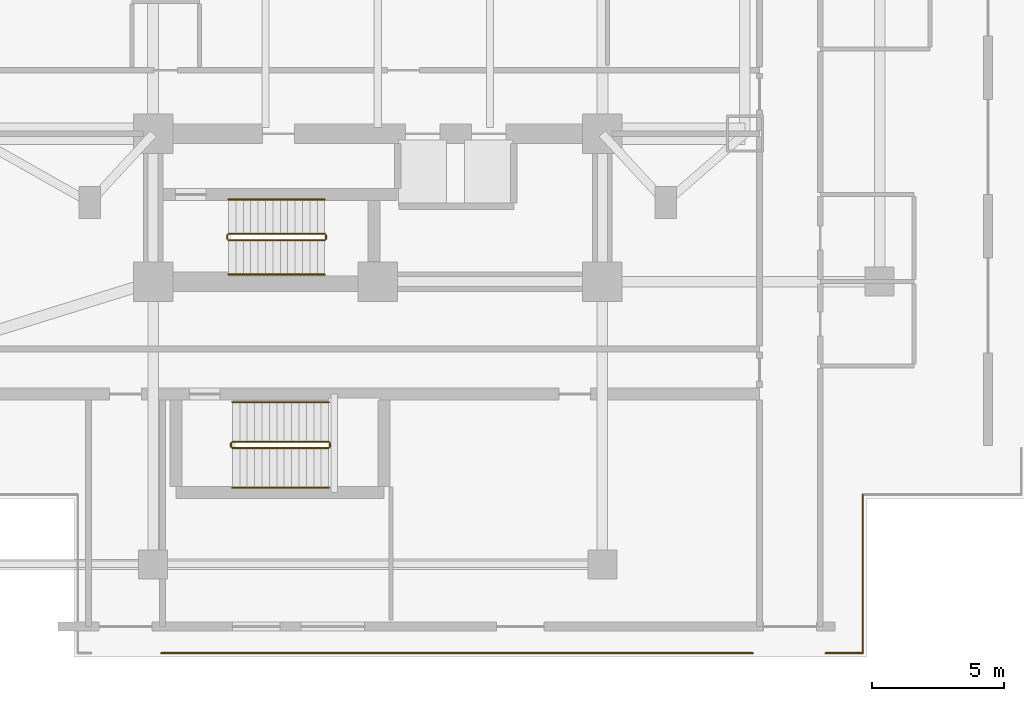
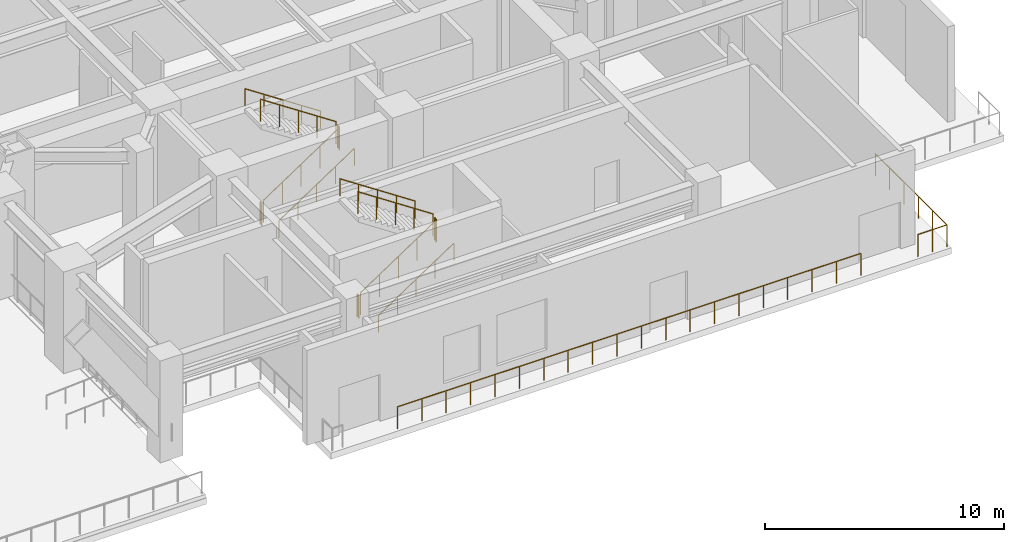
# One storey, part 23 of 27: 15 railings.
"""IFC4 building model written with IfcOpenShell, lengths in metres."""

import ifcopenshell
import ifcopenshell.guid

model = None  # the IFC model being written
_history = None  # IfcOwnerHistory: only IFC2X3 demands one
_inside = {}  # id of a spatial element -> (the spatial element, [elements in it])
_under = {}  # id of a project, library or spatial element -> (it, [spatial elements below it])
_declared = {}  # id of a project -> (the project, [libraries it declares])
_typed = {}  # id of a type object -> (the type object, [elements of that type])
_made_of = {}  # id of a material, layer set ... -> (it, [elements and type objects made of it])


def new_model(schema):
    """Start an empty IFC model of exactly this schema.

    Asked for "IFC4X3", IfcOpenShell would pick the latest addendum, in which some entities
    have other attributes; the version numbers below select the first issue.
    IFC2X3 requires an IfcOwnerHistory on every rooted entity: one is made here for all.
    """
    global model, _history
    if schema == "IFC4X3":
        model = ifcopenshell.file(schema_version=(4, 3, 0, 0))
    else:
        model = ifcopenshell.file(schema=schema)
    _inside.clear()
    _under.clear()
    _declared.clear()
    _typed.clear()
    _made_of.clear()
    _history = None
    if model.schema == "IFC2X3":
        org = make("IfcOrganization", Name="unknown")
        user = make(
            "IfcPersonAndOrganization",
            ThePerson=make("IfcPerson", FamilyName="unknown"),
            TheOrganization=org,
        )
        app = make(
            "IfcApplication",
            ApplicationDeveloper=org,
            Version="unknown",
            ApplicationFullName="unknown",
            ApplicationIdentifier="unknown",
        )
        _history = make(
            "IfcOwnerHistory",
            OwningUser=user,
            OwningApplication=app,
            ChangeAction="ADDED",
            CreationDate=0,
        )
    return model


def make(cls, **values):
    """One entity of the class cls with the attributes given. An attribute that is None is left unset."""
    return model.create_entity(
        cls, **{name: value for name, value in values.items() if value is not None}
    )


def rooted(cls, **values):
    """An entity with a GlobalId (a new one), such as an element, a storey or a relation."""
    return make(cls, GlobalId=ifcopenshell.guid.new(), OwnerHistory=_history, **values)


def si_unit(unit_type, name, prefix=None):
    """IfcSIUnit, for example si_unit("LENGTHUNIT", "METRE", prefix="MILLI")."""
    return make("IfcSIUnit", UnitType=unit_type, Prefix=prefix, Name=name)


def assignment(units):
    """IfcUnitAssignment: the units of a project."""
    return None if units is None else make("IfcUnitAssignment", Units=units)


def point(xyz):
    """IfcCartesianPoint."""
    return None if xyz is None else make("IfcCartesianPoint", Coordinates=xyz)


def direction(xyz):
    """IfcDirection."""
    return None if xyz is None else make("IfcDirection", DirectionRatios=xyz)


def frame(location, z_axis=None, x_axis=None):
    """IfcAxis2Placement3D, a coordinate frame: its origin and axes. An axis left out is left unset."""
    return make(
        "IfcAxis2Placement3D",
        Location=point(location),
        Axis=direction(z_axis),
        RefDirection=direction(x_axis),
    )


def frame_2d(location, x_axis=None):
    """IfcAxis2Placement2D, a coordinate frame in the plane: its origin and x axis."""
    return make(
        "IfcAxis2Placement2D", Location=point(location), RefDirection=direction(x_axis)
    )


def origin():
    """The frame at (0, 0, 0) with its axes left unset."""
    return frame((0.0, 0.0, 0.0))


def origin_2d():
    """The frame at (0, 0) in the plane with its x axis left unset."""
    return frame_2d((0.0, 0.0))


def place(relative_to, where):
    """IfcLocalPlacement: puts the frame where relative to a parent placement (None: the world)."""
    return make(
        "IfcLocalPlacement", PlacementRelTo=relative_to, RelativePlacement=where
    )


def context(
    kind, dimensions, precision=None, world=None, true_north=None, identifier=None
):
    """IfcGeometricRepresentationContext, for example the 3D "Model" context."""
    return make(
        "IfcGeometricRepresentationContext",
        ContextIdentifier=identifier,
        ContextType=kind,
        CoordinateSpaceDimension=dimensions,
        Precision=precision,
        WorldCoordinateSystem=world,
        TrueNorth=true_north,
    )


def subcontext(parent, identifier, kind, view, scale=None):
    """IfcGeometricRepresentationSubContext, for example "Body" below "Model"."""
    return make(
        "IfcGeometricRepresentationSubContext",
        ContextIdentifier=identifier,
        ContextType=kind,
        ParentContext=parent,
        TargetScale=scale,
        TargetView=view,
    )


def project(units=None, contexts=None):
    """IfcProject with its units and contexts."""
    return rooted(
        "IfcProject",
        Name="project",
        RepresentationContexts=contexts,
        UnitsInContext=assignment(units),
    )


def spatial(cls, under=None, at=None, **own):
    """A site, building, storey or space (cls), placed at a placement, below another one or the project."""
    s = rooted(cls, ObjectPlacement=at, **own)
    if under is not None:
        _under.setdefault(under.id(), (under, []))[1].append(s)
    return s


def profile(cls, at=None, kind="AREA", **sizes):
    """A parametric profile (cls). Its sizes go by their IFC names, for example OverallWidth=200.0."""
    return make(cls, ProfileType=kind, Position=at, **sizes)


def circle(**sizes):
    """IfcCircleProfileDef."""
    return profile("IfcCircleProfileDef", **sizes)


def extrude(swept, where, along, depth):
    """IfcExtrudedAreaSolid: the profile swept, set in the frame where, extruded along a direction by depth."""
    return make(
        "IfcExtrudedAreaSolid",
        SweptArea=swept,
        Position=where,
        ExtrudedDirection=direction(along),
        Depth=depth,
    )


def shape(context_of_items, identifier, shape_type, items):
    """IfcShapeRepresentation: the items that make up one representation, for example the "Body"."""
    return make(
        "IfcShapeRepresentation",
        ContextOfItems=context_of_items,
        RepresentationIdentifier=identifier,
        RepresentationType=shape_type,
        Items=items,
    )


def material(Name=None, Category=None):
    """IfcMaterial."""
    return make("IfcMaterial", Name=Name, Category=Category)


def made_of(thing, what):
    """Note that an element or type object is made of a material, layer set ...; save() writes the relation."""
    if what is not None:
        _made_of.setdefault(what.id(), (what, []))[1].append(thing)
    return thing


def type_object(cls, material=None, **own):
    """A type object (cls), such as IfcWallType, which elements share."""
    return made_of(rooted(cls, **own), material)


def element(
    cls,
    number,
    at=None,
    inside=None,
    cuts=None,
    type_object=None,
    material=None,
    context=None,
    identifier="Body",
    shape_type=None,
    held_by="IfcProductDefinitionShape",
    body=None,
    shapes=None,
    **own,
):
    """One element of the class cls, such as IfcWall. Its Tag is "e" and its number.

    at: its placement. inside: the storey or other place that contains it. cuts: it is an
    opening in that element (IfcRelVoidsElement). A single representation is given by context,
    identifier, shape_type and body (its items); several are given by shapes. held_by: the class
    of the entity that holds the representations. save() writes the other relations.
    """
    e = rooted(cls, Tag="e%d" % number, ObjectPlacement=at, **own)
    if body is not None:
        shapes = [shape(context, identifier, shape_type, body)]
    if shapes is not None:
        e.Representation = make(held_by, Representations=shapes)
    if inside is not None:
        _inside.setdefault(inside.id(), (inside, []))[1].append(e)
    if cuts is not None:
        rooted(
            "IfcRelVoidsElement", RelatingBuildingElement=cuts, RelatedOpeningElement=e
        )
    if type_object is not None:
        _typed.setdefault(type_object.id(), (type_object, []))[1].append(e)
    return made_of(e, material)


def aggregate(whole, parts):
    """IfcRelAggregates: a whole, such as a stair, and the parts it consists of."""
    return rooted("IfcRelAggregates", RelatingObject=whole, RelatedObjects=parts)


def save(model, path):
    """Write the relations noted so far, then the file.

    IfcRelAggregates (storeys below a building ...), IfcRelContainedInSpatialStructure (elements
    in a storey), IfcRelDefinesByType, IfcRelAssociatesMaterial and IfcRelDeclares: one each for
    every whole, place, type object, material and project.
    """
    for whole, parts in _under.values():
        aggregate(whole, parts)
    for where, things in _inside.values():
        rooted(
            "IfcRelContainedInSpatialStructure",
            RelatedElements=things,
            RelatingStructure=where,
        )
    for kind, things in _typed.values():
        rooted("IfcRelDefinesByType", RelatedObjects=things, RelatingType=kind)
    for what, things in _made_of.values():
        rooted("IfcRelAssociatesMaterial", RelatedObjects=things, RelatingMaterial=what)
    for by, libraries in _declared.values():
        rooted("IfcRelDeclares", RelatingContext=by, RelatedDefinitions=libraries)
    model.write(path)


model = new_model("IFC4")

# Units and contexts
model_context = context("Model", 3, precision=1e-05, world=origin(), true_north=direction((0.0, 1.0)))
body_context = subcontext(model_context, "Body", "Model", "MODEL_VIEW")
ifc_project = project(units=[si_unit("LENGTHUNIT", "METRE"), si_unit("AREAUNIT", "SQUARE_METRE"), si_unit("VOLUMEUNIT", "CUBIC_METRE"), si_unit("PLANEANGLEUNIT", "RADIAN"), si_unit("MASSUNIT", "GRAM", prefix="KILO")], contexts=[model_context])

# Site, building, storey
site_placement = place(None, origin())
site = spatial("IfcSite", under=ifc_project, at=site_placement, CompositionType="ELEMENT")
building_placement = place(site_placement, origin())
building = spatial("IfcBuilding", under=site, at=building_placement, Name="Mirazonda Arch Towers", CompositionType="ELEMENT")
storey_placement = place(building_placement, origin())
storey = spatial("IfcBuildingStorey", under=building, at=storey_placement, Name="L00", CompositionType="ELEMENT", Elevation=0.0)

# Railings
ifc_material = material(Name="Architectural Brushed Steel S355", Category="steel")
railing_type_1 = type_object("IfcRailingType", Name="GUARD-EXT-1150", PredefinedType="GUARDRAIL", material=ifc_material)
railing_1_placement = place(storey_placement, frame((68.300048828125, 1.139892578125, 0.0)))
element("IfcRailing", 1, at=railing_1_placement, inside=storey, type_object=railing_type_1, Name="L00 L00 Podium Edge Guard 8 01", PredefinedType="GUARDRAIL", context=body_context, shape_type="SweptSolid", body=[
    extrude(circle(Radius=0.02392578125, at=origin_2d()), frame((0.0, 0.0, 1.1259765625), z_axis=(1.0, 0.0, 0.0), x_axis=(0.0, 1.0, 0.0)), (0.0, 0.0, 1.0), 22.39990234375),
    extrude(circle(Radius=0.02099609375, at=origin_2d()), origin(), (0.0, 0.0, 1.0), 1.101806640625),
    extrude(circle(Radius=0.02099609375, at=origin_2d()), frame((1.178955078125, 0.0, 0.0)), (0.0, 0.0, 1.0), 1.101806640625),
    extrude(circle(Radius=0.02099609375, at=origin_2d()), frame((2.35791015625, 0.0, 0.0)), (0.0, 0.0, 1.0), 1.101806640625),
    extrude(circle(Radius=0.02099609375, at=origin_2d()), frame((3.536865234375, 0.0, 0.0)), (0.0, 0.0, 1.0), 1.101806640625),
    extrude(circle(Radius=0.02099609375, at=origin_2d()), frame((4.7158203125, 0.0, 0.0)), (0.0, 0.0, 1.0), 1.101806640625),
    extrude(circle(Radius=0.02099609375, at=origin_2d()), frame((5.894775390625, 0.0, 0.0)), (0.0, 0.0, 1.0), 1.101806640625),
    extrude(circle(Radius=0.02099609375, at=origin_2d()), frame((7.07373046875, 0.0, 0.0)), (0.0, 0.0, 1.0), 1.101806640625),
    extrude(circle(Radius=0.02099609375, at=origin_2d()), frame((8.252685546875, 0.0, 0.0)), (0.0, 0.0, 1.0), 1.101806640625),
    extrude(circle(Radius=0.02099609375, at=origin_2d()), frame((9.431640625, 0.0, 0.0)), (0.0, 0.0, 1.0), 1.101806640625),
    extrude(circle(Radius=0.02099609375, at=origin_2d()), frame((10.610595703125, 0.0, 0.0)), (0.0, 0.0, 1.0), 1.101806640625),
    extrude(circle(Radius=0.02099609375, at=origin_2d()), frame((11.789306640625, 0.0, 0.0)), (0.0, 0.0, 1.0), 1.101806640625),
    extrude(circle(Radius=0.02099609375, at=origin_2d()), frame((12.96826171875, 0.0, 0.0)), (0.0, 0.0, 1.0), 1.101806640625),
    extrude(circle(Radius=0.02099609375, at=origin_2d()), frame((14.147216796875, 0.0, 0.0)), (0.0, 0.0, 1.0), 1.101806640625),
    extrude(circle(Radius=0.02099609375, at=origin_2d()), frame((15.326171875, 0.0, 0.0)), (0.0, 0.0, 1.0), 1.101806640625),
    extrude(circle(Radius=0.02099609375, at=origin_2d()), frame((16.505126953125, 0.0, 0.0)), (0.0, 0.0, 1.0), 1.101806640625),
    extrude(circle(Radius=0.02099609375, at=origin_2d()), frame((17.68408203125, 0.0, 0.0)), (0.0, 0.0, 1.0), 1.101806640625),
    extrude(circle(Radius=0.02099609375, at=origin_2d()), frame((18.863037109375, 0.0, 0.0)), (0.0, 0.0, 1.0), 1.101806640625),
    extrude(circle(Radius=0.02099609375, at=origin_2d()), frame((20.0419921875, 0.0, 0.0)), (0.0, 0.0, 1.0), 1.101806640625),
    extrude(circle(Radius=0.02099609375, at=origin_2d()), frame((21.220947265625, 0.0, 0.0)), (0.0, 0.0, 1.0), 1.101806640625),
    extrude(circle(Radius=0.02099609375, at=origin_2d()), frame((22.39990234375, 0.0, 0.0)), (0.0, 0.0, 1.0), 1.101806640625),
])
railing_2_placement = place(storey_placement, frame((93.449951171875, 1.139892578125, 0.0)))
element("IfcRailing", 2, at=railing_2_placement, inside=storey, type_object=railing_type_1, Name="L00 L00 Podium Edge Guard 9 01", PredefinedType="GUARDRAIL", context=body_context, shape_type="SweptSolid", body=[
    extrude(circle(Radius=0.02392578125, at=origin_2d()), frame((0.0, 0.0, 1.1259765625), z_axis=(1.0, 0.0, 0.0), x_axis=(0.0, 1.0, 0.0)), (0.0, 0.0, 1.0), 1.41015625),
    extrude(circle(Radius=0.02099609375, at=origin_2d()), origin(), (0.0, 0.0, 1.0), 1.101806640625),
    extrude(circle(Radius=0.02099609375, at=origin_2d()), frame((0.705078125, 0.0, 0.0)), (0.0, 0.0, 1.0), 1.101806640625),
    extrude(circle(Radius=0.02099609375, at=origin_2d()), frame((1.41015625, 0.0, 0.0)), (0.0, 0.0, 1.0), 1.101806640625),
])
railing_3_placement = place(storey_placement, frame((94.860107421875, 1.139892578125, 0.0)))
element("IfcRailing", 3, at=railing_3_placement, inside=storey, type_object=railing_type_1, Name="L00 L00 Podium Edge Guard 9 02", PredefinedType="GUARDRAIL", context=body_context, shape_type="SweptSolid", body=[
    extrude(circle(Radius=0.02392578125, at=origin_2d()), frame((0.0, 0.0, 1.1259765625), z_axis=(0.0, 1.0, 0.0), x_axis=(-1.0, 0.0, 0.0)), (0.0, 0.0, 1.0), 6.0),
    extrude(circle(Radius=0.02099609375, at=origin_2d()), origin(), (0.0, 0.0, 1.0), 1.101806640625),
    extrude(circle(Radius=0.02099609375, at=origin_2d()), frame((0.0, 1.199951171875, 0.0)), (0.0, 0.0, 1.0), 1.101806640625),
    extrude(circle(Radius=0.02099609375, at=origin_2d()), frame((0.0, 2.39990234375, 0.0)), (0.0, 0.0, 1.0), 1.101806640625),
    extrude(circle(Radius=0.02099609375, at=origin_2d()), frame((0.0, 3.60009765625, 0.0)), (0.0, 0.0, 1.0), 1.101806640625),
    extrude(circle(Radius=0.02099609375, at=origin_2d()), frame((0.0, 4.800048828125, 0.0)), (0.0, 0.0, 1.0), 1.101806640625),
    extrude(circle(Radius=0.02099609375, at=origin_2d()), frame((0.0, 6.0, 0.0)), (0.0, 0.0, 1.0), 1.101806640625),
])
railing_type_2 = type_object("IfcRailingType", Name="GUARD-STAIR-1120", PredefinedType="GUARDRAIL", material=ifc_material)
railing_4_placement = place(storey_placement, frame((70.85009765625, 16.77001953125, 0.185791015625)))
element("IfcRailing", 4, at=railing_4_placement, inside=storey, type_object=railing_type_2, Name="L00 ST-T2S stair guard 1", PredefinedType="GUARDRAIL", context=body_context, shape_type="SweptSolid", body=[
    extrude(circle(Radius=0.02392578125, at=origin_2d()), frame((0.0, 0.0, 1.1259765625), z_axis=(0.833346510843, 0.0, 0.552750932036), x_axis=(0.0, 1.0, 0.0)), (0.0, 0.0, 1.0), 4.367919921875),
    extrude(circle(Radius=0.02099609375, at=origin_2d()), origin(), (0.0, 0.0, 1.0), 1.101806640625),
    extrude(circle(Radius=0.02099609375, at=origin_2d()), frame((0.909912109375, 0.0, 0.603515625)), (0.0, 0.0, 1.0), 1.101806640625),
    extrude(circle(Radius=0.02099609375, at=origin_2d()), frame((1.81982421875, 0.0, 1.20703125)), (0.0, 0.0, 1.0), 1.101806640625),
    extrude(circle(Radius=0.02099609375, at=origin_2d()), frame((2.72998046875, 0.0, 1.810791015625)), (0.0, 0.0, 1.0), 1.101806640625),
    extrude(circle(Radius=0.02099609375, at=origin_2d()), frame((3.639892578125, 0.0, 2.414306640625)), (0.0, 0.0, 1.0), 1.101806640625),
])
railing_5_placement = place(storey_placement, frame((74.5400390625, 16.820068359375, 2.60009765625)))
element("IfcRailing", 5, at=railing_5_placement, inside=storey, type_object=railing_type_2, Name="L00 ST-T2S stair guard 2", PredefinedType="GUARDRAIL", context=body_context, shape_type="SweptSolid", body=[
    extrude(circle(Radius=0.02392578125, at=origin_2d()), frame((0.0, 0.0, 1.1259765625), z_axis=(0.0, 1.0, 0.0), x_axis=(-1.0, 0.0, 0.0)), (0.0, 0.0, 1.0), 0.139892578125),
    extrude(circle(Radius=0.02099609375, at=origin_2d()), origin(), (0.0, 0.0, 1.0), 1.101806640625),
    extrude(circle(Radius=0.02099609375, at=origin_2d()), frame((0.0, 0.139892578125, 0.0)), (0.0, 0.0, 1.0), 1.101806640625),
])
railing_6_placement = place(storey_placement, frame((74.489990234375, 17.010009765625, 2.78564453125)))
element("IfcRailing", 6, at=railing_6_placement, inside=storey, type_object=railing_type_2, Name="L00 ST-T2S stair guard 3", PredefinedType="GUARDRAIL", context=body_context, shape_type="SweptSolid", body=[
    extrude(circle(Radius=0.02392578125, at=origin_2d()), frame((0.0, 0.0, 1.1259765625), z_axis=(-0.833346510843, 0.0, 0.552750932036), x_axis=(0.0, -1.0, 0.0)), (0.0, 0.0, 1.0), 4.367919921875),
    extrude(circle(Radius=0.02099609375, at=origin_2d()), origin(), (0.0, 0.0, 1.0), 1.101806640625),
    extrude(circle(Radius=0.02099609375, at=origin_2d()), frame((-0.909912109375, 0.0, 0.603515625)), (0.0, 0.0, 1.0), 1.101806640625),
    extrude(circle(Radius=0.02099609375, at=origin_2d()), frame((-1.81982421875, 0.0, 1.20703125)), (0.0, 0.0, 1.0), 1.101806640625),
    extrude(circle(Radius=0.02099609375, at=origin_2d()), frame((-2.72998046875, 0.0, 1.810791015625)), (0.0, 0.0, 1.0), 1.101806640625),
    extrude(circle(Radius=0.02099609375, at=origin_2d()), frame((-3.639892578125, 0.0, 2.414306640625)), (0.0, 0.0, 1.0), 1.101806640625),
])
railing_7_placement = place(storey_placement, frame((70.800048828125, 16.820068359375, 0.0)))
element("IfcRailing", 7, at=railing_7_placement, inside=storey, type_object=railing_type_2, Name="L00 ST-T2S stair guard 4", PredefinedType="GUARDRAIL", context=body_context, shape_type="SweptSolid", body=[
    extrude(circle(Radius=0.02392578125, at=origin_2d()), frame((0.0, 0.0, 1.1259765625), z_axis=(0.0, 1.0, 0.0), x_axis=(-1.0, 0.0, 0.0)), (0.0, 0.0, 1.0), 0.139892578125),
    extrude(circle(Radius=0.02099609375, at=origin_2d()), origin(), (0.0, 0.0, 1.0), 1.101806640625),
    extrude(circle(Radius=0.02099609375, at=origin_2d()), frame((0.0, 0.139892578125, 0.0)), (0.0, 0.0, 1.0), 1.101806640625),
])
railing_8_placement = place(storey_placement, frame((71.0, 8.89990234375, 0.185791015625)))
element("IfcRailing", 8, at=railing_8_placement, inside=storey, type_object=railing_type_2, Name="L00 ST-POD2 stair guard 1", PredefinedType="GUARDRAIL", context=body_context, shape_type="SweptSolid", body=[
    extrude(circle(Radius=0.02392578125, at=origin_2d()), frame((0.0, 0.0, 1.1259765625), z_axis=(0.833346510843, 0.0, 0.552750932036), x_axis=(0.0, 1.0, 0.0)), (0.0, 0.0, 1.0), 4.367919921875),
    extrude(circle(Radius=0.02099609375, at=origin_2d()), origin(), (0.0, 0.0, 1.0), 1.101806640625),
    extrude(circle(Radius=0.02099609375, at=origin_2d()), frame((0.909912109375, 0.0, 0.603515625)), (0.0, 0.0, 1.0), 1.101806640625),
    extrude(circle(Radius=0.02099609375, at=origin_2d()), frame((1.81982421875, 0.0, 1.20703125)), (0.0, 0.0, 1.0), 1.101806640625),
    extrude(circle(Radius=0.02099609375, at=origin_2d()), frame((2.72998046875, 0.0, 1.810791015625)), (0.0, 0.0, 1.0), 1.101806640625),
    extrude(circle(Radius=0.02099609375, at=origin_2d()), frame((3.639892578125, 0.0, 2.414306640625)), (0.0, 0.0, 1.0), 1.101806640625),
])
railing_9_placement = place(storey_placement, frame((74.68994140625, 8.949951171875, 2.60009765625)))
element("IfcRailing", 9, at=railing_9_placement, inside=storey, type_object=railing_type_2, Name="L00 ST-POD2 stair guard 2", PredefinedType="GUARDRAIL", context=body_context, shape_type="SweptSolid", body=[
    extrude(circle(Radius=0.02392578125, at=origin_2d()), frame((0.0, 0.0, 1.1259765625), z_axis=(0.0, 1.0, 0.0), x_axis=(-1.0, 0.0, 0.0)), (0.0, 0.0, 1.0), 0.14013671875),
    extrude(circle(Radius=0.02099609375, at=origin_2d()), origin(), (0.0, 0.0, 1.0), 1.101806640625),
    extrude(circle(Radius=0.02099609375, at=origin_2d()), frame((0.0, 0.14013671875, 0.0)), (0.0, 0.0, 1.0), 1.101806640625),
])
railing_10_placement = place(storey_placement, frame((74.639892578125, 9.139892578125, 2.78564453125)))
element("IfcRailing", 10, at=railing_10_placement, inside=storey, type_object=railing_type_2, Name="L00 ST-POD2 stair guard 3", PredefinedType="GUARDRAIL", context=body_context, shape_type="SweptSolid", body=[
    extrude(circle(Radius=0.02392578125, at=origin_2d()), frame((0.0, 0.0, 1.1259765625), z_axis=(-0.833346510843, 0.0, 0.552750932036), x_axis=(0.0, -1.0, 0.0)), (0.0, 0.0, 1.0), 4.367919921875),
    extrude(circle(Radius=0.02099609375, at=origin_2d()), origin(), (0.0, 0.0, 1.0), 1.101806640625),
    extrude(circle(Radius=0.02099609375, at=origin_2d()), frame((-0.909912109375, 0.0, 0.603515625)), (0.0, 0.0, 1.0), 1.101806640625),
    extrude(circle(Radius=0.02099609375, at=origin_2d()), frame((-1.81982421875, 0.0, 1.20703125)), (0.0, 0.0, 1.0), 1.101806640625),
    extrude(circle(Radius=0.02099609375, at=origin_2d()), frame((-2.72998046875, 0.0, 1.810791015625)), (0.0, 0.0, 1.0), 1.101806640625),
    extrude(circle(Radius=0.02099609375, at=origin_2d()), frame((-3.639892578125, 0.0, 2.414306640625)), (0.0, 0.0, 1.0), 1.101806640625),
])
railing_11_placement = place(storey_placement, frame((70.949951171875, 8.949951171875, 0.0)))
element("IfcRailing", 11, at=railing_11_placement, inside=storey, type_object=railing_type_2, Name="L00 ST-POD2 stair guard 4", PredefinedType="GUARDRAIL", context=body_context, shape_type="SweptSolid", body=[
    extrude(circle(Radius=0.02392578125, at=origin_2d()), frame((0.0, 0.0, 1.1259765625), z_axis=(0.0, 1.0, 0.0), x_axis=(-1.0, 0.0, 0.0)), (0.0, 0.0, 1.0), 0.14013671875),
    extrude(circle(Radius=0.02099609375, at=origin_2d()), origin(), (0.0, 0.0, 1.0), 1.101806640625),
    extrude(circle(Radius=0.02099609375, at=origin_2d()), frame((0.0, 0.14013671875, 0.0)), (0.0, 0.0, 1.0), 1.101806640625),
])
railing_type_3 = type_object("IfcRailingType", Name="HANDRAIL-915", PredefinedType="HANDRAIL", material=ifc_material)
railing_12_placement = place(storey_placement, frame((70.85009765625, 15.469970703125, 0.185791015625)))
element("IfcRailing", 12, at=railing_12_placement, inside=storey, type_object=railing_type_3, Name="L00 ST-T2S stair handrail 1", PredefinedType="HANDRAIL", context=body_context, shape_type="SweptSolid", body=[
    extrude(circle(Radius=0.02392578125, at=origin_2d()), frame((0.0, 0.0, 0.8759765625), z_axis=(0.833346510843, 0.0, 0.552750932036), x_axis=(0.0, 1.0, 0.0)), (0.0, 0.0, 1.0), 4.367919921875),
    extrude(circle(Radius=0.02099609375, at=origin_2d()), origin(), (0.0, 0.0, 1.0), 0.851806640625),
    extrude(circle(Radius=0.02099609375, at=origin_2d()), frame((0.909912109375, 0.0, 0.603515625)), (0.0, 0.0, 1.0), 0.851806640625),
    extrude(circle(Radius=0.02099609375, at=origin_2d()), frame((1.81982421875, 0.0, 1.20703125)), (0.0, 0.0, 1.0), 0.851806640625),
    extrude(circle(Radius=0.02099609375, at=origin_2d()), frame((2.72998046875, 0.0, 1.810791015625)), (0.0, 0.0, 1.0), 0.851806640625),
    extrude(circle(Radius=0.02099609375, at=origin_2d()), frame((3.639892578125, 0.0, 2.414306640625)), (0.0, 0.0, 1.0), 0.851806640625),
])
railing_13_placement = place(storey_placement, frame((74.489990234375, 18.31005859375, 2.78564453125)))
element("IfcRailing", 13, at=railing_13_placement, inside=storey, type_object=railing_type_3, Name="L00 ST-T2S stair handrail 2", PredefinedType="HANDRAIL", context=body_context, shape_type="SweptSolid", body=[
    extrude(circle(Radius=0.02392578125, at=origin_2d()), frame((0.0, 0.0, 0.8759765625), z_axis=(-0.833346510843, 0.0, 0.552750932036), x_axis=(0.0, -1.0, 0.0)), (0.0, 0.0, 1.0), 4.367919921875),
    extrude(circle(Radius=0.02099609375, at=origin_2d()), origin(), (0.0, 0.0, 1.0), 0.851806640625),
    extrude(circle(Radius=0.02099609375, at=origin_2d()), frame((-0.909912109375, 0.0, 0.603515625)), (0.0, 0.0, 1.0), 0.851806640625),
    extrude(circle(Radius=0.02099609375, at=origin_2d()), frame((-1.81982421875, 0.0, 1.20703125)), (0.0, 0.0, 1.0), 0.851806640625),
    extrude(circle(Radius=0.02099609375, at=origin_2d()), frame((-2.72998046875, 0.0, 1.810791015625)), (0.0, 0.0, 1.0), 0.851806640625),
    extrude(circle(Radius=0.02099609375, at=origin_2d()), frame((-3.639892578125, 0.0, 2.414306640625)), (0.0, 0.0, 1.0), 0.851806640625),
])
railing_14_placement = place(storey_placement, frame((71.0, 7.39990234375, 0.185791015625)))
element("IfcRailing", 14, at=railing_14_placement, inside=storey, type_object=railing_type_3, Name="L00 ST-POD2 stair handrail 1", PredefinedType="HANDRAIL", context=body_context, shape_type="SweptSolid", body=[
    extrude(circle(Radius=0.02392578125, at=origin_2d()), frame((0.0, 0.0, 0.8759765625), z_axis=(0.833346510843, 0.0, 0.552750932036), x_axis=(0.0, 1.0, 0.0)), (0.0, 0.0, 1.0), 4.367919921875),
    extrude(circle(Radius=0.02099609375, at=origin_2d()), origin(), (0.0, 0.0, 1.0), 0.851806640625),
    extrude(circle(Radius=0.02099609375, at=origin_2d()), frame((0.909912109375, 0.0, 0.603515625)), (0.0, 0.0, 1.0), 0.851806640625),
    extrude(circle(Radius=0.02099609375, at=origin_2d()), frame((1.81982421875, 0.0, 1.20703125)), (0.0, 0.0, 1.0), 0.851806640625),
    extrude(circle(Radius=0.02099609375, at=origin_2d()), frame((2.72998046875, 0.0, 1.810791015625)), (0.0, 0.0, 1.0), 0.851806640625),
    extrude(circle(Radius=0.02099609375, at=origin_2d()), frame((3.639892578125, 0.0, 2.414306640625)), (0.0, 0.0, 1.0), 0.851806640625),
])
railing_15_placement = place(storey_placement, frame((74.639892578125, 10.639892578125, 2.78564453125)))
element("IfcRailing", 15, at=railing_15_placement, inside=storey, type_object=railing_type_3, Name="L00 ST-POD2 stair handrail 2", PredefinedType="HANDRAIL", context=body_context, shape_type="SweptSolid", body=[
    extrude(circle(Radius=0.02392578125, at=origin_2d()), frame((0.0, 0.0, 0.8759765625), z_axis=(-0.833346510843, 0.0, 0.552750932036), x_axis=(0.0, -1.0, 0.0)), (0.0, 0.0, 1.0), 4.367919921875),
    extrude(circle(Radius=0.02099609375, at=origin_2d()), origin(), (0.0, 0.0, 1.0), 0.851806640625),
    extrude(circle(Radius=0.02099609375, at=origin_2d()), frame((-0.909912109375, 0.0, 0.603515625)), (0.0, 0.0, 1.0), 0.851806640625),
    extrude(circle(Radius=0.02099609375, at=origin_2d()), frame((-1.81982421875, 0.0, 1.20703125)), (0.0, 0.0, 1.0), 0.851806640625),
    extrude(circle(Radius=0.02099609375, at=origin_2d()), frame((-2.72998046875, 0.0, 1.810791015625)), (0.0, 0.0, 1.0), 0.851806640625),
    extrude(circle(Radius=0.02099609375, at=origin_2d()), frame((-3.639892578125, 0.0, 2.414306640625)), (0.0, 0.0, 1.0), 0.851806640625),
])

save(model, "model.ifc")
